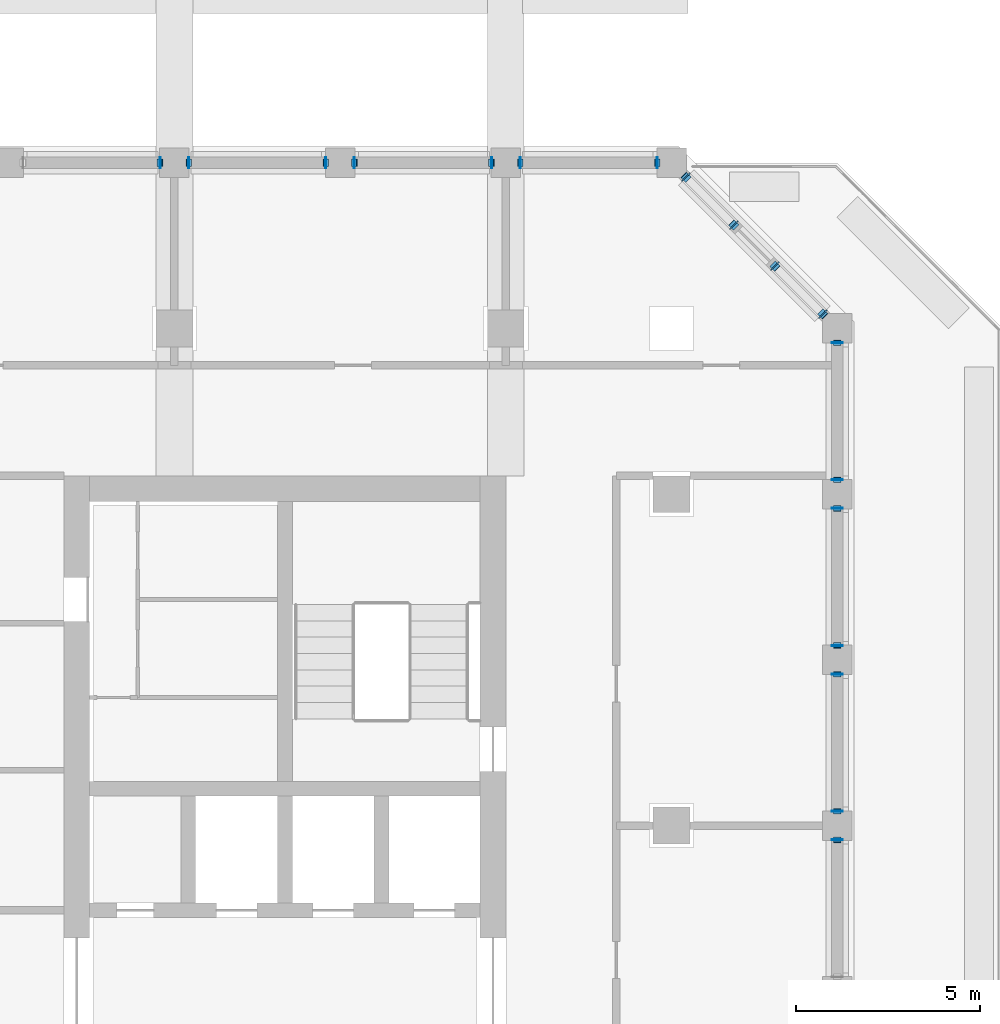
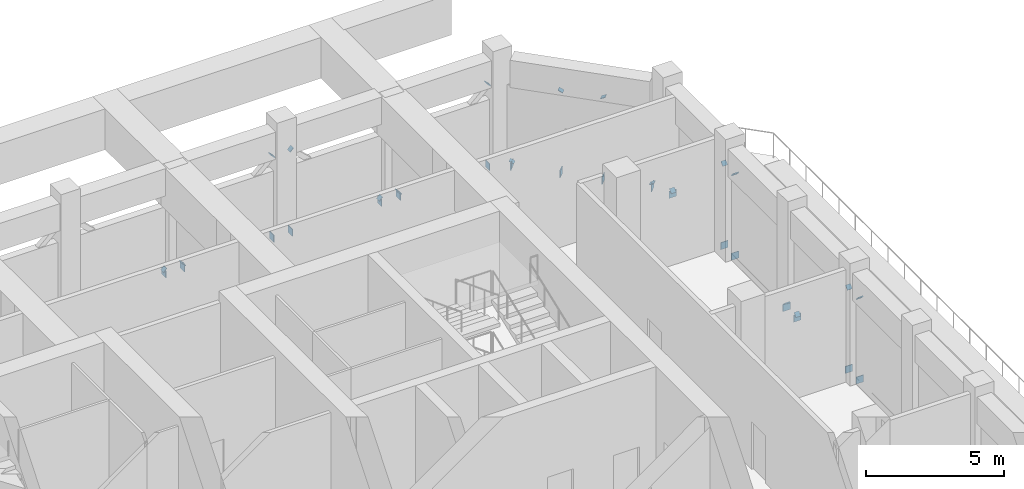
# One storey, part 13 of 19: 36 discrete accessories.
"""IFC4 building model written with IfcOpenShell, lengths in metres."""

from ifc_helpers import new_model, si_unit, direction, frame, origin, origin_2d, place, context, subcontext, project, spatial, rectangle, extrude, material, material_profile, profile_set, type_object, element, save


model = new_model("IFC4")

# Units and contexts
model_context = context("Model", 3, precision=1e-05, world=origin(), true_north=direction((0.0, 1.0)))
body_context = subcontext(model_context, "Body", "Model", "MODEL_VIEW")
ifc_project = project(units=[si_unit("LENGTHUNIT", "METRE"), si_unit("AREAUNIT", "SQUARE_METRE"), si_unit("VOLUMEUNIT", "CUBIC_METRE"), si_unit("PLANEANGLEUNIT", "RADIAN"), si_unit("MASSUNIT", "GRAM", prefix="KILO")], contexts=[model_context])

# Site, building, storey
site_placement = place(None, origin())
site = spatial("IfcSite", under=ifc_project, at=site_placement, CompositionType="ELEMENT")
building_placement = place(site_placement, origin())
building = spatial("IfcBuilding", under=site, at=building_placement, Name="Corbel Stack Research Tower", CompositionType="ELEMENT")
storey_placement = place(building_placement, frame((0.0, 0.0, 226.199951171875)))
storey = spatial("IfcBuildingStorey", under=building, at=storey_placement, Name="L51", CompositionType="ELEMENT", Elevation=226.199951171875)

# Discrete accessories
ifc_material_1 = material(Name="Steel S355", Category="steel")
ifc_material_profile_1 = material_profile(ifc_material_1, rectangle(XDim=0.202880859375, YDim=0.202880859375, at=origin_2d()), Name="End plate 203x203x25")
ifc_profile_set_1 = profile_set([ifc_material_profile_1], Name="Steel S355")
discrete_accessory_type_1 = type_object("IfcDiscreteAccessoryType", Name="End plate 203x203x25", PredefinedType="ANCHORPLATE", material=ifc_profile_set_1)
for number, where, z_axis, x_axis, name in (
    (1, (27.0, 8.60009765625, 3.75), (0.0, 0.731055268243, 0.68231825036), (-1.0, 0.0, 0.0), "Belt truss end plate L51-15d2"),
    (2, (27.0, 13.10009765625, 0.30810546875), (0.0, 0.731055268243, -0.68231825036), (-1.0, 0.0, 0.0), "Belt truss end plate L51-16d1"),
    (3, (27.0, 9.39990234375, 3.75), (0.0, -0.731055268243, 0.68231825036), (1.0, 0.0, 0.0), "Belt truss end plate L51-16d2"),
    (4, (27.0, 13.89990234375, 0.30810546875), (0.0, -0.731055268243, -0.68231825036), (1.0, 0.0, 0.0), "Belt truss end plate L51-17d1"),
    (5, (27.0, 17.60009765625, 3.75), (0.0, 0.731055268243, 0.68231825036), (-1.0, 0.0, 0.0), "Belt truss end plate L51-17d2"),
    (6, (27.0, 22.10009765625, 0.30810546875), (0.0, 0.731055268243, -0.68231825036), (-1.0, 0.0, 0.0), "Belt truss end plate L51-18d1"),
    (7, (27.0, 18.39990234375, 3.75), (0.0, -0.731055268243, 0.68231825036), (1.0, 0.0, 0.0), "Belt truss end plate L51-18d2"),
    (8, (26.60009765625, 22.89990234375, 0.30810546875), (0.33034628782, -0.33034628782, -0.884162123282), (0.707106781187, 0.707106781187, 0.0), "Belt truss end plate L51-19ad1"),
    (9, (25.315673828125, 24.184326171875, 3.75), (-0.33034628782, 0.33034628782, 0.884162123282), (-0.707106781187, -0.707106781187, 0.0), "Belt truss end plate L51-19ad2"),
    (10, (22.89990234375, 26.60009765625, 0.30810546875), (-0.33034628782, 0.33034628782, -0.884162123282), (-0.707106781187, -0.707106781187, 0.0), "Belt truss end plate L51-19bd1"),
    (11, (24.184326171875, 25.315673828125, 3.75), (0.33034628782, -0.33034628782, 0.884162123282), (0.707106781187, 0.707106781187, 0.0), "Belt truss end plate L51-19bd2"),
    (12, (18.39990234375, 27.0, 0.30810546875), (-0.731055268243, 0.0, -0.68231825036), (0.0, -1.0, 0.0), "Belt truss end plate L51-20d1"),
    (13, (22.10009765625, 27.0, 3.75), (0.731055268243, 0.0, 0.68231825036), (0.0, 1.0, 0.0), "Belt truss end plate L51-20d2"),
    (14, (17.60009765625, 27.0, 0.30810546875), (0.731055268243, 0.0, -0.68231825036), (0.0, 1.0, 0.0), "Belt truss end plate L51-21d1"),
    (15, (13.89990234375, 27.0, 3.75), (-0.731055268243, 0.0, 0.68231825036), (0.0, -1.0, 0.0), "Belt truss end plate L51-21d2"),
    (16, (9.39990234375, 27.0, 0.30810546875), (-0.731055268243, 0.0, -0.68231825036), (0.0, -1.0, 0.0), "Belt truss end plate L51-22d1"),
    (17, (13.10009765625, 27.0, 3.75), (0.731055268243, 0.0, 0.68231825036), (0.0, 1.0, 0.0), "Belt truss end plate L51-22d2"),
    (18, (8.60009765625, 27.0, 0.30810546875), (0.731055268243, 0.0, -0.68231825036), (0.0, 1.0, 0.0), "Belt truss end plate L51-23d1"),
):
    element("IfcDiscreteAccessory", number, at=place(storey_placement, frame(where, z_axis=z_axis, x_axis=x_axis)), inside=storey, type_object=discrete_accessory_type_1, Name=name, PredefinedType="ANCHORPLATE", context=body_context, shape_type="SweptSolid", body=[
        extrude(rectangle(XDim=0.202880859375, YDim=0.202880859375, at=origin_2d()), origin(), (0.0, 0.0, 1.0), 0.025146484375),
    ])
ifc_material_2 = material(Name="Steel S355", Category="steel")
ifc_material_profile_2 = material_profile(ifc_material_2, rectangle(XDim=0.304931640625, YDim=0.30810546875, at=origin_2d()), Name="End plate 305x308x25")
ifc_profile_set_2 = profile_set([ifc_material_profile_2], Name="Steel S355")
discrete_accessory_type_2 = type_object("IfcDiscreteAccessoryType", Name="End plate 305x308x25", PredefinedType="ANCHORPLATE", material=ifc_profile_set_2)
for number, where, z_axis, x_axis, name in (
    (19, (27.0, 8.60009765625, 0.154052734375), (0.0, 1.0, 0.0), (-1.0, 0.0, 0.0), "Belt truss end plate L51-15c2"),
    (20, (27.0, 9.39990234375, 0.154052734375), (0.0, -1.0, 0.0), (1.0, 0.0, 0.0), "Belt truss end plate L51-16c1"),
    (21, (27.0, 13.10009765625, 0.154052734375), (0.0, 1.0, 0.0), (-1.0, 0.0, 0.0), "Belt truss end plate L51-16c2"),
    (22, (27.0, 13.89990234375, 0.154052734375), (0.0, -1.0, 0.0), (1.0, 0.0, 0.0), "Belt truss end plate L51-17c1"),
    (23, (27.0, 17.60009765625, 0.154052734375), (0.0, 1.0, 0.0), (-1.0, 0.0, 0.0), "Belt truss end plate L51-17c2"),
    (24, (27.0, 18.39990234375, 0.154052734375), (0.0, -1.0, 0.0), (1.0, 0.0, 0.0), "Belt truss end plate L51-18c1"),
    (25, (27.0, 22.10009765625, 0.154052734375), (0.0, 1.0, 0.0), (-1.0, 0.0, 0.0), "Belt truss end plate L51-18c2"),
    (26, (26.60009765625, 22.89990234375, 0.154052734375), (0.707106781187, -0.707106781187, 0.0), (0.707106781187, 0.707106781187, 0.0), "Belt truss end plate L51-19ac1"),
    (27, (25.315673828125, 24.184326171875, 0.154052734375), (-0.707106781187, 0.707106781187, 0.0), (-0.707106781187, -0.707106781187, 0.0), "Belt truss end plate L51-19ac2"),
    (28, (24.184326171875, 25.315673828125, 0.154052734375), (0.707106781187, -0.707106781187, 0.0), (0.707106781187, 0.707106781187, 0.0), "Belt truss end plate L51-19bc1"),
    (29, (22.89990234375, 26.60009765625, 0.154052734375), (-0.707106781187, 0.707106781187, 0.0), (-0.707106781187, -0.707106781187, 0.0), "Belt truss end plate L51-19bc2"),
    (30, (22.10009765625, 27.0, 0.154052734375), (1.0, 0.0, 0.0), (0.0, 1.0, 0.0), "Belt truss end plate L51-20c1"),
    (31, (18.39990234375, 27.0, 0.154052734375), (-1.0, 0.0, 0.0), (0.0, -1.0, 0.0), "Belt truss end plate L51-20c2"),
    (32, (17.60009765625, 27.0, 0.154052734375), (1.0, 0.0, 0.0), (0.0, 1.0, 0.0), "Belt truss end plate L51-21c1"),
    (33, (13.89990234375, 27.0, 0.154052734375), (-1.0, 0.0, 0.0), (0.0, -1.0, 0.0), "Belt truss end plate L51-21c2"),
    (34, (13.10009765625, 27.0, 0.154052734375), (1.0, 0.0, 0.0), (0.0, 1.0, 0.0), "Belt truss end plate L51-22c1"),
    (35, (9.39990234375, 27.0, 0.154052734375), (-1.0, 0.0, 0.0), (0.0, -1.0, 0.0), "Belt truss end plate L51-22c2"),
    (36, (8.60009765625, 27.0, 0.154052734375), (1.0, 0.0, 0.0), (0.0, 1.0, 0.0), "Belt truss end plate L51-23c1"),
):
    element("IfcDiscreteAccessory", number, at=place(storey_placement, frame(where, z_axis=z_axis, x_axis=x_axis)), inside=storey, type_object=discrete_accessory_type_2, Name=name, PredefinedType="ANCHORPLATE", context=body_context, shape_type="SweptSolid", body=[
        extrude(rectangle(XDim=0.304931640625, YDim=0.30810546875, at=origin_2d()), origin(), (0.0, 0.0, 1.0), 0.02490234375),
    ])

save(model, "model.ifc")
